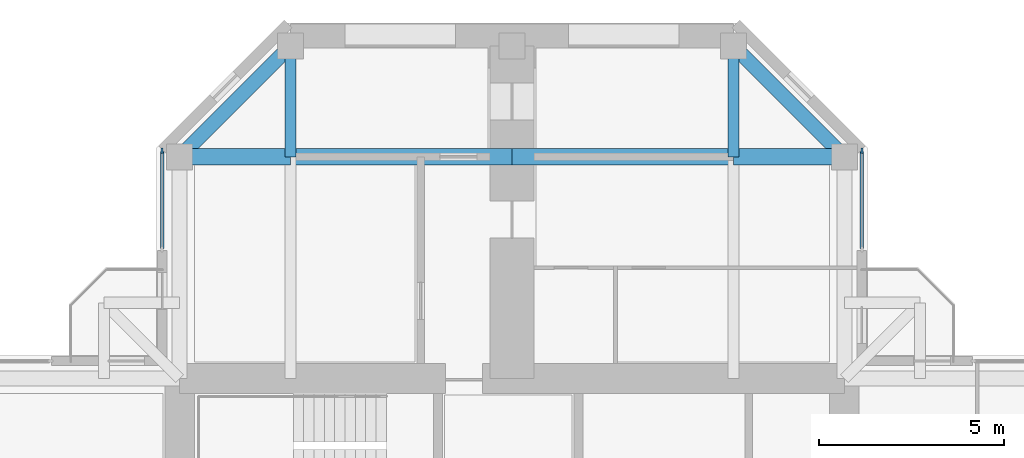
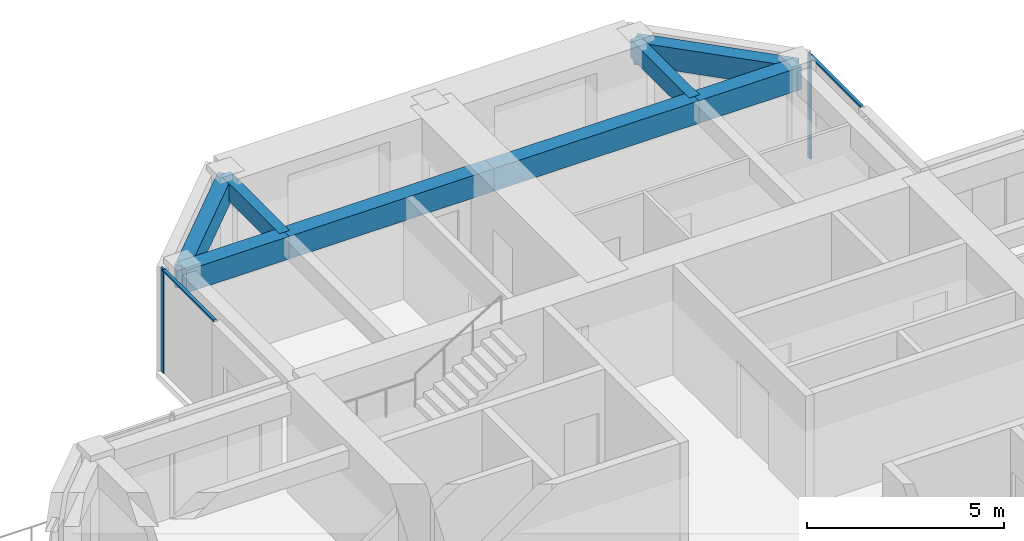
# One storey, part 6 of 14: 8 beams, 4 members, 2 elements without a shape of their own.
"""IFC4 building model written with IfcOpenShell, lengths in metres."""

from ifc_helpers import new_model, si_unit, direction, frame, origin, origin_2d, place, context, subcontext, project, spatial, rectangle, extrude, material, material_profile, profile_set, type_object, element, aggregate, save


model = new_model("IFC4")

# Units and contexts
model_context = context("Model", 3, precision=1e-05, world=origin(), true_north=direction((0.0, 1.0)))
body_context = subcontext(model_context, "Body", "Model", "MODEL_VIEW")
ifc_project = project(units=[si_unit("LENGTHUNIT", "METRE"), si_unit("AREAUNIT", "SQUARE_METRE"), si_unit("VOLUMEUNIT", "CUBIC_METRE"), si_unit("PLANEANGLEUNIT", "RADIAN"), si_unit("MASSUNIT", "GRAM", prefix="KILO")], contexts=[model_context])

# Site, building, storey
site_placement = place(None, origin())
site = spatial("IfcSite", under=ifc_project, at=site_placement, CompositionType="ELEMENT")
building_placement = place(site_placement, origin())
building = spatial("IfcBuilding", under=site, at=building_placement, Name="Torre Cruceta", CompositionType="ELEMENT")
storey_placement = place(building_placement, frame((0.0, 0.0, 257.699951171875)))
storey = spatial("IfcBuildingStorey", under=building, at=storey_placement, Name="L66", CompositionType="ELEMENT", Elevation=257.699951171875)

# Beams
ifc_material_1 = material(Name="Concrete G60 (fck 60 MPa)", Category="concrete")
ifc_material_profile_1 = material_profile(ifc_material_1, rectangle(XDim=0.300048828125, YDim=0.550048828125, at=origin_2d()), Name="RC 300X550")
ifc_profile_set_1 = profile_set([ifc_material_profile_1], Name="Concrete G60 (fck 60 MPa)")
beam_type_1 = type_object("IfcBeamType", Name="COLUMN LINE BEAM RC 300X550", PredefinedType="BEAM", material=ifc_profile_set_1)
for number, where, z_axis, x_axis, name in (
    (1, (6.0, 15.0, 2.945068359375), (0.0, 1.0, 0.0), (-1.0, 0.0, 0.0), "LB10 L66 N col- 2"),
    (2, (-6.0, 15.0, 2.945068359375), (0.0, 1.0, 0.0), (-1.0, 0.0, 0.0), "LB10 L66 N col+ 2"),
):
    element("IfcBeam", number, at=place(storey_placement, frame(where, z_axis=z_axis, x_axis=x_axis)), inside=storey, type_object=beam_type_1, Name=name, PredefinedType="BEAM", context=body_context, shape_type="SweptSolid", body=[
        extrude(rectangle(XDim=0.300048828125, YDim=0.550048828125, at=origin_2d()), origin(), (0.0, 0.0, 1.0), 3.0),
    ])
ifc_material_2 = material(Name="Concrete G60 (fck 60 MPa)", Category="concrete")
ifc_material_profile_2 = material_profile(ifc_material_2, rectangle(XDim=0.449951171875, YDim=0.699951171875, at=origin_2d()), Name="RC 450X700")
ifc_profile_set_2 = profile_set([ifc_material_profile_2], Name="Concrete G60 (fck 60 MPa)")
beam_type_2 = type_object("IfcBeamType", Name="CROSS BEAM RC 450X700", PredefinedType="BEAM", material=ifc_profile_set_2)
beam_1_placement = place(storey_placement, frame((9.0, 15.0, 2.8701171875), z_axis=(-1.0, 0.0, 0.0), x_axis=(0.0, -1.0, 0.0)))
element("IfcBeam", 3, at=beam_1_placement, inside=storey, type_object=beam_type_2, Name="GB8 L66 N cross15 1", PredefinedType="BEAM", context=body_context, shape_type="SweptSolid", body=[
    extrude(rectangle(XDim=0.449951171875, YDim=0.699951171875, at=origin_2d()), origin(), (0.0, 0.0, 1.0), 3.0),
])
for number, where, z_axis, x_axis, name in (
    (4, (6.0, 15.0, 2.8701171875), (-1.0, 0.0, 0.0), (0.0, -1.0, 0.0), "GB8 L66 N cross15 2"),
    (5, (0.0, 15.0, 2.8701171875), (-1.0, 0.0, 0.0), (0.0, -1.0, 0.0), "GB8 L66 N cross15 3"),
):
    element("IfcBeam", number, at=place(storey_placement, frame(where, z_axis=z_axis, x_axis=x_axis)), inside=storey, type_object=beam_type_2, Name=name, PredefinedType="BEAM", context=body_context, shape_type="SweptSolid", body=[
        extrude(rectangle(XDim=0.449951171875, YDim=0.699951171875, at=origin_2d()), origin(), (0.0, 0.0, 1.0), 6.0),
    ])
beam_2_placement = place(storey_placement, frame((-6.0, 15.0, 2.8701171875), z_axis=(-1.0, 0.0, 0.0), x_axis=(0.0, -1.0, 0.0)))
element("IfcBeam", 6, at=beam_2_placement, inside=storey, type_object=beam_type_2, Name="GB8 L66 N cross15 4", PredefinedType="BEAM", context=body_context, shape_type="SweptSolid", body=[
    extrude(rectangle(XDim=0.449951171875, YDim=0.699951171875, at=origin_2d()), origin(), (0.0, 0.0, 1.0), 3.0),
])

# Curtain wall, member
ifc_material_3 = material(Name="Aluminium unitised curtain wall", Category="aluminium")
curtain_wall_type = type_object("IfcCurtainWallType", Name="CURTAIN WALL CW-E CO-LIVING TOP", PredefinedType="USERDEFINED", material=ifc_material_3)
curtain_wall_1_placement = place(storey_placement, origin())
curtain_wall_1 = element("IfcCurtainWall", 7, at=curtain_wall_1_placement, inside=storey, type_object=curtain_wall_type, Name="CW-E L66 N side 05", ObjectType="UNITISED", PredefinedType="USERDEFINED")
ifc_material_4 = material(Name="Aluminium mullion", Category="aluminium")
ifc_material_profile_3 = material_profile(ifc_material_4, rectangle(XDim=0.054931640625, YDim=0.139892578125, at=origin_2d()), Name="AL 55X140")
ifc_profile_set_3 = profile_set([ifc_material_profile_3], Name="Aluminium mullion")
member_type_1 = type_object("IfcMemberType", Name="CW-E MULLION 55X140", PredefinedType="MULLION", material=ifc_profile_set_3)
member_1_placement = place(storey_placement, frame((9.469970703125, 15.167236328125, 0.0), z_axis=(0.0, 0.0, 1.0), x_axis=(-1.0, 0.0, 0.0)))
member_1 = element("IfcMember", 8, at=member_1_placement, type_object=member_type_1, Name="CW-E mullion 2", PredefinedType="MULLION", context=body_context, shape_type="SweptSolid", body=[
    extrude(rectangle(XDim=0.054931640625, YDim=0.139892578125, at=origin_2d()), origin(), (0.0, 0.0, 1.0), 3.219970703125),
])

curtain_wall_2_placement = place(storey_placement, origin())
curtain_wall_2 = element("IfcCurtainWall", 9, at=curtain_wall_2_placement, inside=storey, type_object=curtain_wall_type, Name="CW-E L66 N side 09", ObjectType="UNITISED", PredefinedType="USERDEFINED")
member_2_placement = place(storey_placement, frame((-9.469970703125, 15.167236328125, 0.0), z_axis=(0.0, 0.0, 1.0), x_axis=(1.0, 0.0, 0.0)))
member_2 = element("IfcMember", 10, at=member_2_placement, type_object=member_type_1, Name="CW-E mullion 1", PredefinedType="MULLION", context=body_context, shape_type="SweptSolid", body=[
    extrude(rectangle(XDim=0.054931640625, YDim=0.139892578125, at=origin_2d()), origin(), (0.0, 0.0, 1.0), 3.219970703125),
])

# Member
ifc_material_5 = material(Name="Aluminium transom", Category="aluminium")
ifc_material_profile_4 = material_profile(ifc_material_5, rectangle(XDim=0.090087890625, YDim=0.054931640625, at=origin_2d()), Name="AL 90X55")
ifc_profile_set_4 = profile_set([ifc_material_profile_4], Name="Aluminium transom")
member_type_2 = type_object("IfcMemberType", Name="CW-E TRANSOM 55X90", PredefinedType="USERDEFINED", material=ifc_profile_set_4)
member_3_placement = place(storey_placement, frame((9.469970703125, 12.52490234375, 3.192626953125), z_axis=(0.0, 1.0, 0.0), x_axis=(-1.0, 0.0, 0.0)))
member_3 = element("IfcMember", 11, at=member_3_placement, type_object=member_type_2, Name="CW-E transom 1", ObjectType="TRANSOM", PredefinedType="USERDEFINED", context=body_context, shape_type="SweptSolid", body=[
    extrude(rectangle(XDim=0.090087890625, YDim=0.054931640625, at=origin_2d()), origin(), (0.0, 0.0, 1.0), 2.61474609375),
])

aggregate(curtain_wall_1, [member_1, member_3])

member_4_placement = place(storey_placement, frame((-9.469970703125, 15.1396484375, 3.192626953125), z_axis=(0.0, -1.0, 0.0), x_axis=(1.0, 0.0, 0.0)))
member_4 = element("IfcMember", 12, at=member_4_placement, type_object=member_type_2, Name="CW-E transom 1", ObjectType="TRANSOM", PredefinedType="USERDEFINED", context=body_context, shape_type="SweptSolid", body=[
    extrude(rectangle(XDim=0.090087890625, YDim=0.054931640625, at=origin_2d()), origin(), (0.0, 0.0, 1.0), 2.61474609375),
])

aggregate(curtain_wall_2, [member_2, member_4])

# Beams
ifc_material_6 = material(Name="Concrete G60 (fck 60 MPa)", Category="concrete")
ifc_material_profile_5 = material_profile(ifc_material_6, rectangle(XDim=0.39990234375, YDim=0.699951171875, at=origin_2d()), Name="RC 400X700")
ifc_profile_set_5 = profile_set([ifc_material_profile_5], Name="Concrete G60 (fck 60 MPa)")
beam_type_3 = type_object("IfcBeamType", Name="SPANDREL BEAM RC 400X700", PredefinedType="SPANDREL", material=ifc_profile_set_5)
for number, where, z_axis, x_axis, name in (
    (13, (9.0, 15.0, 2.8701171875), (-0.707106781187, 0.707106781187, 0.0), (-0.707106781187, -0.707106781187, 0.0), "SB8 L66 N side- 2"),
    (14, (-9.0, 15.0, 2.8701171875), (0.707106781187, 0.707106781187, 0.0), (-0.707106781187, 0.707106781187, 0.0), "SB8 L66 N side+ 2"),
):
    element("IfcBeam", number, at=place(storey_placement, frame(where, z_axis=z_axis, x_axis=x_axis)), inside=storey, type_object=beam_type_3, Name=name, PredefinedType="SPANDREL", context=body_context, shape_type="SweptSolid", body=[
        extrude(rectangle(XDim=0.39990234375, YDim=0.699951171875, at=origin_2d()), origin(), (0.0, 0.0, 1.0), 4.24267578125),
    ])

save(model, "model.ifc")
